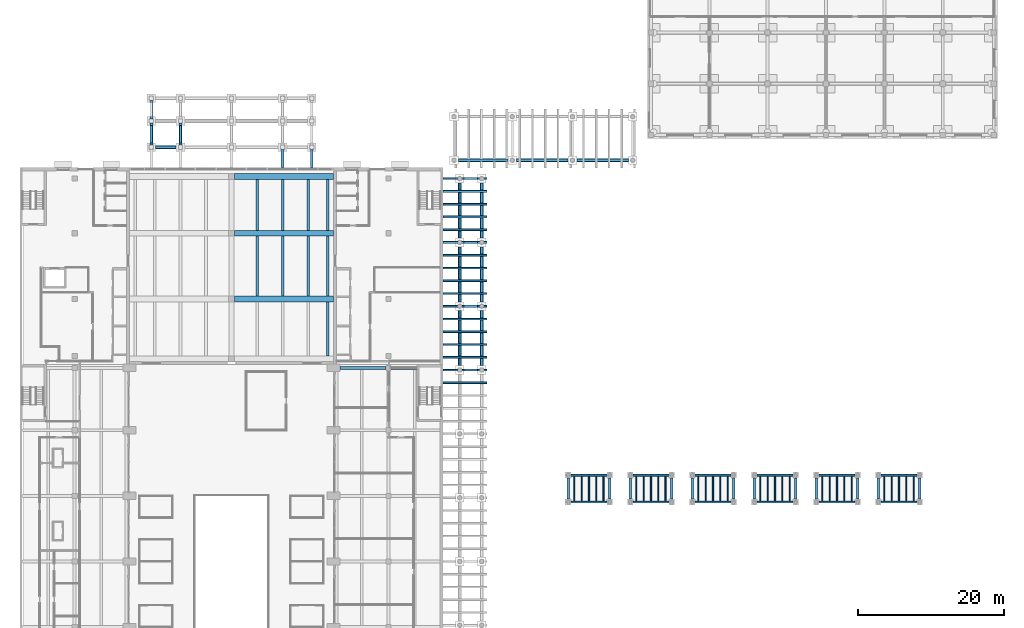
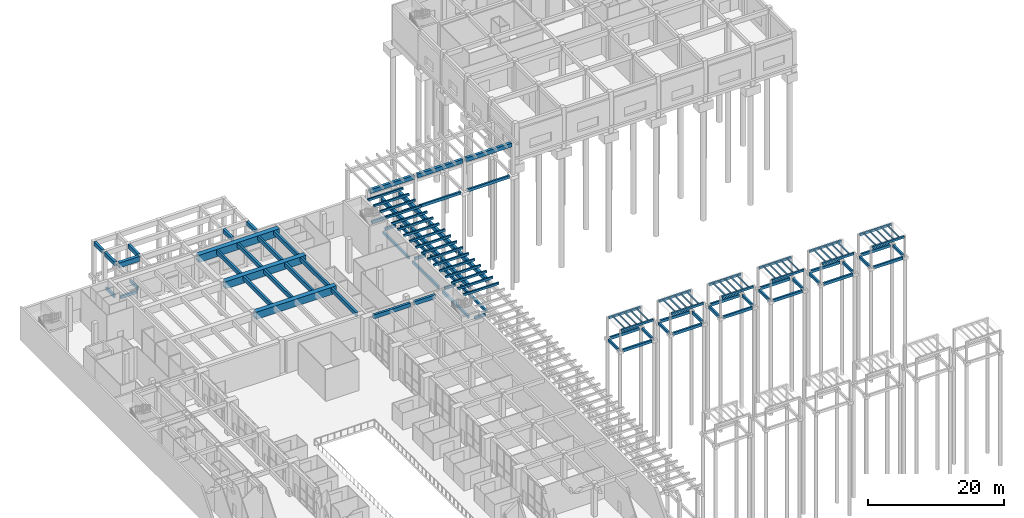
# One storey, part 21 of 51: 128 beams.
"""IFC4 building model written with IfcOpenShell, lengths in metres."""

from ifc_helpers import new_model, si_unit, direction, frame, origin, origin_2d, place, context, subcontext, project, spatial, rectangle, extrude, material, material_profile, profile_set, type_object, element, save


model = new_model("IFC4")

# Units and contexts
model_context = context("Model", 3, precision=1e-05, world=origin(), true_north=direction((0.0, 1.0)))
body_context = subcontext(model_context, "Body", "Model", "MODEL_VIEW")
ifc_project = project(units=[si_unit("LENGTHUNIT", "METRE"), si_unit("AREAUNIT", "SQUARE_METRE"), si_unit("VOLUMEUNIT", "CUBIC_METRE"), si_unit("PLANEANGLEUNIT", "RADIAN"), si_unit("MASSUNIT", "GRAM", prefix="KILO")], contexts=[model_context])

# Site, building, storey
site_placement = place(None, origin())
site = spatial("IfcSite", under=ifc_project, at=site_placement, CompositionType="ELEMENT")
building_placement = place(site_placement, origin())
building = spatial("IfcBuilding", under=site, at=building_placement, Name="Elmora Arch Market Hall", CompositionType="ELEMENT")
storey_placement = place(building_placement, origin())
storey = spatial("IfcBuildingStorey", under=building, at=storey_placement, Name="L00", CompositionType="ELEMENT", Elevation=0.0)

# Beams
ifc_material_1 = material(Name="Concrete C32/40", Category="concrete")
ifc_material_profile_1 = material_profile(ifc_material_1, rectangle(XDim=0.800048828125, YDim=1.300048828125, at=origin_2d()), Name="Bridge girder 800x1300")
ifc_profile_set_1 = profile_set([ifc_material_profile_1], Name="Concrete C32/40")
beam_type_1 = type_object("IfcBeamType", Name="Bridge girder 800x1300", PredefinedType="BEAM", material=ifc_profile_set_1)
for number, where, z_axis, x_axis, name in (
    (1, (29.39990234375, 108.0, 5.14990234375), (1.0, 0.0, 0.0), (0.0, 1.0, 0.0), "Bridge girder NR2 L00.2"),
    (2, (29.39990234375, 117.0, 5.14990234375), (1.0, 0.0, 0.0), (0.0, 1.0, 0.0), "Bridge girder NR3 L00.2"),
    (3, (29.39990234375, 124.800048828125, 5.14990234375), (1.0, 0.0, 0.0), (0.0, 1.0, 0.0), "Bridge girder NR4 L00.2"),
):
    element("IfcBeam", number, at=place(storey_placement, frame(where, z_axis=z_axis, x_axis=x_axis)), inside=storey, type_object=beam_type_1, Name=name, PredefinedType="BEAM", context=body_context, shape_type="SweptSolid", body=[
        extrude(rectangle(XDim=0.800048828125, YDim=1.300048828125, at=origin_2d()), origin(), (0.0, 0.0, 1.0), 13.60009765625),
    ])
ifc_material_2 = material(Name="Concrete C32/40", Category="concrete")
ifc_material_profile_2 = material_profile(ifc_material_2, rectangle(XDim=0.35009765625, YDim=0.75, at=origin_2d()), Name="Bridge joist 350x750")
ifc_profile_set_2 = profile_set([ifc_material_profile_2], Name="Concrete C32/40")
beam_type_2 = type_object("IfcBeamType", Name="Bridge joist 350x750", PredefinedType="JOIST", material=ifc_profile_set_2)
beam_1_placement = place(storey_placement, frame((32.5, 108.39990234375, 5.425048828125), z_axis=(0.0, 1.0, 0.0), x_axis=(-1.0, 0.0, 0.0)))
element("IfcBeam", 4, at=beam_1_placement, inside=storey, type_object=beam_type_2, Name="Bridge joist NJ5 L00.2", PredefinedType="JOIST", context=body_context, shape_type="SweptSolid", body=[
    extrude(rectangle(XDim=0.35009765625, YDim=0.75, at=origin_2d()), origin(), (0.0, 0.0, 1.0), 8.2001953125),
])
beam_2_placement = place(storey_placement, frame((32.5, 117.39990234375, 5.425048828125), z_axis=(0.0, 1.0, 0.0), x_axis=(-1.0, 0.0, 0.0)))
element("IfcBeam", 5, at=beam_2_placement, inside=storey, type_object=beam_type_2, Name="Bridge joist NJ5 L00.3", PredefinedType="JOIST", context=body_context, shape_type="SweptSolid", body=[
    extrude(rectangle(XDim=0.35009765625, YDim=0.75, at=origin_2d()), origin(), (0.0, 0.0, 1.0), 7.0),
])
beam_3_placement = place(storey_placement, frame((36.0, 108.39990234375, 5.425048828125), z_axis=(0.0, 1.0, 0.0), x_axis=(-1.0, 0.0, 0.0)))
element("IfcBeam", 6, at=beam_3_placement, inside=storey, type_object=beam_type_2, Name="Bridge joist NJ6 L00.2", PredefinedType="JOIST", context=body_context, shape_type="SweptSolid", body=[
    extrude(rectangle(XDim=0.35009765625, YDim=0.75, at=origin_2d()), origin(), (0.0, 0.0, 1.0), 8.2001953125),
])
beam_4_placement = place(storey_placement, frame((36.0, 117.39990234375, 5.425048828125), z_axis=(0.0, 1.0, 0.0), x_axis=(-1.0, 0.0, 0.0)))
element("IfcBeam", 7, at=beam_4_placement, inside=storey, type_object=beam_type_2, Name="Bridge joist NJ6 L00.3", PredefinedType="JOIST", context=body_context, shape_type="SweptSolid", body=[
    extrude(rectangle(XDim=0.35009765625, YDim=0.75, at=origin_2d()), origin(), (0.0, 0.0, 1.0), 7.0),
])
beam_5_placement = place(storey_placement, frame((39.5, 108.39990234375, 5.425048828125), z_axis=(0.0, 1.0, 0.0), x_axis=(-1.0, 0.0, 0.0)))
element("IfcBeam", 8, at=beam_5_placement, inside=storey, type_object=beam_type_2, Name="Bridge joist NJ7 L00.2", PredefinedType="JOIST", context=body_context, shape_type="SweptSolid", body=[
    extrude(rectangle(XDim=0.35009765625, YDim=0.75, at=origin_2d()), origin(), (0.0, 0.0, 1.0), 8.2001953125),
])
beam_6_placement = place(storey_placement, frame((39.5, 117.39990234375, 5.425048828125), z_axis=(0.0, 1.0, 0.0), x_axis=(-1.0, 0.0, 0.0)))
element("IfcBeam", 9, at=beam_6_placement, inside=storey, type_object=beam_type_2, Name="Bridge joist NJ7 L00.3", PredefinedType="JOIST", context=body_context, shape_type="SweptSolid", body=[
    extrude(rectangle(XDim=0.35009765625, YDim=0.75, at=origin_2d()), origin(), (0.0, 0.0, 1.0), 7.0),
])
beam_7_placement = place(storey_placement, frame((42.199951171875, 100.199951171875, 5.425048828125), z_axis=(0.0, 1.0, 0.0), x_axis=(-1.0, 0.0, 0.0)))
element("IfcBeam", 10, at=beam_7_placement, inside=storey, type_object=beam_type_2, Name="Bridge joist NJ8 L00.1", PredefinedType="JOIST", context=body_context, shape_type="SweptSolid", body=[
    extrude(rectangle(XDim=0.35009765625, YDim=0.75, at=origin_2d()), origin(), (0.0, 0.0, 1.0), 7.400146484375),
])
beam_8_placement = place(storey_placement, frame((42.199951171875, 108.39990234375, 5.425048828125), z_axis=(0.0, 1.0, 0.0), x_axis=(-1.0, 0.0, 0.0)))
element("IfcBeam", 11, at=beam_8_placement, inside=storey, type_object=beam_type_2, Name="Bridge joist NJ8 L00.2", PredefinedType="JOIST", context=body_context, shape_type="SweptSolid", body=[
    extrude(rectangle(XDim=0.35009765625, YDim=0.75, at=origin_2d()), origin(), (0.0, 0.0, 1.0), 8.2001953125),
])
beam_9_placement = place(storey_placement, frame((42.199951171875, 117.39990234375, 5.425048828125), z_axis=(0.0, 1.0, 0.0), x_axis=(-1.0, 0.0, 0.0)))
element("IfcBeam", 12, at=beam_9_placement, inside=storey, type_object=beam_type_2, Name="Bridge joist NJ8 L00.3", PredefinedType="JOIST", context=body_context, shape_type="SweptSolid", body=[
    extrude(rectangle(XDim=0.35009765625, YDim=0.75, at=origin_2d()), origin(), (0.0, 0.0, 1.0), 7.0),
])
ifc_material_3 = material(Name="Concrete C32/40", Category="concrete")
ifc_material_profile_3 = material_profile(ifc_material_3, rectangle(XDim=0.39990234375, YDim=0.699951171875, at=origin_2d()), Name="Canopy beam 400x700")
ifc_profile_set_3 = profile_set([ifc_material_profile_3], Name="Concrete C32/40")
beam_type_3 = type_object("IfcBeamType", Name="Canopy beam 400x700", PredefinedType="BEAM", material=ifc_profile_set_3)
beam_10_placement = place(storey_placement, frame((18.0, 129.10009765625, 5.449951171875), z_axis=(0.0, 1.0, 0.0), x_axis=(-1.0, 0.0, 0.0)))
element("IfcBeam", 13, at=beam_10_placement, inside=storey, type_object=beam_type_3, Name="Canopy beam CAN-GATE-B1 L00.2", PredefinedType="BEAM", context=body_context, shape_type="SweptSolid", body=[
    extrude(rectangle(XDim=0.39990234375, YDim=0.699951171875, at=origin_2d()), origin(), (0.0, 0.0, 1.0), 3.0),
])
beam_11_placement = place(storey_placement, frame((18.0, 132.699951171875, 5.449951171875), z_axis=(0.0, 1.0, 0.0), x_axis=(-1.0, 0.0, 0.0)))
element("IfcBeam", 14, at=beam_11_placement, inside=storey, type_object=beam_type_3, Name="Canopy beam CAN-GATE-B1 L00.3", PredefinedType="BEAM", context=body_context, shape_type="SweptSolid", body=[
    extrude(rectangle(XDim=0.39990234375, YDim=0.699951171875, at=origin_2d()), origin(), (0.0, 0.0, 1.0), 2.5),
])
beam_12_placement = place(storey_placement, frame((22.0, 129.10009765625, 5.449951171875), z_axis=(0.0, 1.0, 0.0), x_axis=(-1.0, 0.0, 0.0)))
element("IfcBeam", 15, at=beam_12_placement, inside=storey, type_object=beam_type_3, Name="Canopy beam CAN-GATE-B2 L00.2", PredefinedType="BEAM", context=body_context, shape_type="SweptSolid", body=[
    extrude(rectangle(XDim=0.39990234375, YDim=0.699951171875, at=origin_2d()), origin(), (0.0, 0.0, 1.0), 3.0),
])
for number, where, z_axis, x_axis, name in (
    (16, (36.0, 126.0, 5.449951171875), (0.0, 1.0, 0.0), (-1.0, 0.0, 0.0), "Canopy beam CAN-GATE-B4 L00.1"),
    (17, (40.0, 126.0, 5.449951171875), (0.0, 1.0, 0.0), (-1.0, 0.0, 0.0), "Canopy beam CAN-GATE-B5 L00.1"),
):
    element("IfcBeam", number, at=place(storey_placement, frame(where, z_axis=z_axis, x_axis=x_axis)), inside=storey, type_object=beam_type_3, Name=name, PredefinedType="BEAM", context=body_context, shape_type="SweptSolid", body=[
        extrude(rectangle(XDim=0.39990234375, YDim=0.699951171875, at=origin_2d()), origin(), (0.0, 0.0, 1.0), 2.5),
    ])
ifc_material_4 = material(Name="Concrete C32/40", Category="concrete")
ifc_material_profile_4 = material_profile(ifc_material_4, rectangle(XDim=0.5, YDim=0.89990234375, at=origin_2d()), Name="Canopy girder 500x900")
ifc_profile_set_4 = profile_set([ifc_material_profile_4], Name="Concrete C32/40")
beam_type_4 = type_object("IfcBeamType", Name="Canopy girder 500x900", PredefinedType="BEAM", material=ifc_profile_set_4)
beam_13_placement = place(storey_placement, frame((18.300048828125, 128.800048828125, 5.35009765625), z_axis=(1.0, 0.0, 0.0), x_axis=(0.0, 1.0, 0.0)))
element("IfcBeam", 18, at=beam_13_placement, inside=storey, type_object=beam_type_4, Name="Canopy girder CAN-GATE-G1 L00.1", PredefinedType="BEAM", context=body_context, shape_type="SweptSolid", body=[
    extrude(rectangle(XDim=0.5, YDim=0.89990234375, at=origin_2d()), origin(), (0.0, 0.0, 1.0), 3.39990234375),
])
ifc_material_5 = material(Name="Concrete C32/40", Category="concrete")
ifc_material_profile_5 = material_profile(ifc_material_5, rectangle(XDim=0.25, YDim=0.39990234375, at=origin_2d()), Name="Canopy joist 250x400")
ifc_profile_set_5 = profile_set([ifc_material_profile_5], Name="Concrete C32/40")
beam_type_5 = type_object("IfcBeamType", Name="Canopy joist 250x400", PredefinedType="JOIST", material=ifc_profile_set_5)
for number, where, z_axis, x_axis, name in (
    (19, (58.0, 96.5, 5.64990234375), (1.0, 0.0, 0.0), (0.0, 1.0, 0.0), "Canopy joist PE-J45 L00.1"),
    (20, (58.0, 98.25, 5.64990234375), (1.0, 0.0, 0.0), (0.0, 1.0, 0.0), "Canopy joist PE-J46 L00.1"),
    (21, (58.0, 100.0, 5.64990234375), (1.0, 0.0, 0.0), (0.0, 1.0, 0.0), "Canopy joist PE-J47 L00.1"),
    (22, (58.0, 101.75, 5.64990234375), (1.0, 0.0, 0.0), (0.0, 1.0, 0.0), "Canopy joist PE-J48 L00.1"),
    (23, (58.0, 103.5, 5.64990234375), (1.0, 0.0, 0.0), (0.0, 1.0, 0.0), "Canopy joist PE-J49 L00.1"),
    (24, (58.0, 105.25, 5.64990234375), (1.0, 0.0, 0.0), (0.0, 1.0, 0.0), "Canopy joist PE-J50 L00.1"),
    (25, (58.0, 107.0, 5.64990234375), (1.0, 0.0, 0.0), (0.0, 1.0, 0.0), "Canopy joist PE-J51 L00.1"),
    (26, (58.0, 108.75, 5.64990234375), (1.0, 0.0, 0.0), (0.0, 1.0, 0.0), "Canopy joist PE-J52 L00.1"),
    (27, (58.0, 110.5, 5.64990234375), (1.0, 0.0, 0.0), (0.0, 1.0, 0.0), "Canopy joist PE-J53 L00.1"),
    (28, (58.0, 112.25, 5.64990234375), (1.0, 0.0, 0.0), (0.0, 1.0, 0.0), "Canopy joist PE-J54 L00.1"),
    (29, (58.0, 114.0, 5.64990234375), (1.0, 0.0, 0.0), (0.0, 1.0, 0.0), "Canopy joist PE-J55 L00.1"),
    (30, (58.0, 115.75, 5.64990234375), (1.0, 0.0, 0.0), (0.0, 1.0, 0.0), "Canopy joist PE-J56 L00.1"),
    (31, (58.0, 117.5, 5.64990234375), (1.0, 0.0, 0.0), (0.0, 1.0, 0.0), "Canopy joist PE-J57 L00.1"),
    (32, (58.0, 119.25, 5.64990234375), (1.0, 0.0, 0.0), (0.0, 1.0, 0.0), "Canopy joist PE-J58 L00.1"),
    (33, (58.0, 121.0, 5.64990234375), (1.0, 0.0, 0.0), (0.0, 1.0, 0.0), "Canopy joist PE-J59 L00.1"),
    (34, (58.0, 122.75, 5.64990234375), (1.0, 0.0, 0.0), (0.0, 1.0, 0.0), "Canopy joist PE-J60 L00.1"),
    (35, (58.0, 124.5, 5.64990234375), (1.0, 0.0, 0.0), (0.0, 1.0, 0.0), "Canopy joist PE-J61 L00.1"),
):
    element("IfcBeam", number, at=place(storey_placement, frame(where, z_axis=z_axis, x_axis=x_axis)), inside=storey, type_object=beam_type_5, Name=name, PredefinedType="JOIST", context=body_context, shape_type="SweptSolid", body=[
        extrude(rectangle(XDim=0.25, YDim=0.39990234375, at=origin_2d()), origin(), (0.0, 0.0, 1.0), 6.0),
    ])
ifc_material_6 = material(Name="Concrete C32/40", Category="concrete")
ifc_material_profile_6 = material_profile(ifc_material_6, rectangle(XDim=0.300048828125, YDim=0.5, at=origin_2d()), Name="Pad tie beam 300x500")
ifc_profile_set_6 = profile_set([ifc_material_profile_6], Name="Concrete C32/40")
beam_type_6 = type_object("IfcBeamType", Name="Pad tie beam 300x500", PredefinedType="BEAM", material=ifc_profile_set_6)
beam_14_placement = place(storey_placement, frame((18.60009765625, 128.800048828125, -0.550048828125), z_axis=(1.0, 0.0, 0.0), x_axis=(0.0, 1.0, 0.0)))
element("IfcBeam", 36, at=beam_14_placement, inside=storey, type_object=beam_type_6, Name="Pad tie beam 001", PredefinedType="BEAM", context=body_context, shape_type="SweptSolid", body=[
    extrude(rectangle(XDim=0.300048828125, YDim=0.5, at=origin_2d()), origin(), (0.0, 0.0, 1.0), 2.7998046875),
])
for number, where, z_axis, x_axis, name in (
    (37, (18.0, 129.39990234375, -0.550048828125), (0.0, 1.0, 0.0), (-1.0, 0.0, 0.0), "Pad tie beam 013"),
    (38, (22.0, 129.39990234375, -0.550048828125), (0.0, 1.0, 0.0), (-1.0, 0.0, 0.0), "Pad tie beam 015"),
):
    element("IfcBeam", number, at=place(storey_placement, frame(where, z_axis=z_axis, x_axis=x_axis)), inside=storey, type_object=beam_type_6, Name=name, PredefinedType="BEAM", context=body_context, shape_type="SweptSolid", body=[
        extrude(rectangle(XDim=0.300048828125, YDim=0.5, at=origin_2d()), origin(), (0.0, 0.0, 1.0), 2.400146484375),
    ])
for number, where, z_axis, x_axis, name in (
    (39, (60.89990234375, 98.25, -0.550048828125), (1.0, 0.0, 0.0), (0.0, 1.0, 0.0), "Pad tie beam 042"),
    (40, (60.89990234375, 107.0, -0.550048828125), (1.0, 0.0, 0.0), (0.0, 1.0, 0.0), "Pad tie beam 043"),
    (41, (60.89990234375, 115.75, -0.550048828125), (1.0, 0.0, 0.0), (0.0, 1.0, 0.0), "Pad tie beam 044"),
    (42, (60.89990234375, 124.5, -0.550048828125), (1.0, 0.0, 0.0), (0.0, 1.0, 0.0), "Pad tie beam 045"),
):
    element("IfcBeam", number, at=place(storey_placement, frame(where, z_axis=z_axis, x_axis=x_axis)), inside=storey, type_object=beam_type_6, Name=name, PredefinedType="BEAM", context=body_context, shape_type="SweptSolid", body=[
        extrude(rectangle(XDim=0.300048828125, YDim=0.5, at=origin_2d()), origin(), (0.0, 0.0, 1.0), 1.800048828125),
    ])
for number, where, z_axis, x_axis, name in (
    (43, (60.300048828125, 98.85009765625, -0.550048828125), (0.0, 1.0, 0.0), (-1.0, 0.0, 0.0), "Pad tie beam 055"),
    (44, (60.300048828125, 107.60009765625, -0.550048828125), (0.0, 1.0, 0.0), (-1.0, 0.0, 0.0), "Pad tie beam 056"),
    (45, (60.300048828125, 116.35009765625, -0.550048828125), (0.0, 1.0, 0.0), (-1.0, 0.0, 0.0), "Pad tie beam 057"),
    (46, (63.300048828125, 98.85009765625, -0.550048828125), (0.0, 1.0, 0.0), (-1.0, 0.0, 0.0), "Pad tie beam 067"),
    (47, (63.300048828125, 107.60009765625, -0.550048828125), (0.0, 1.0, 0.0), (-1.0, 0.0, 0.0), "Pad tie beam 068"),
    (48, (63.300048828125, 116.35009765625, -0.550048828125), (0.0, 1.0, 0.0), (-1.0, 0.0, 0.0), "Pad tie beam 069"),
):
    element("IfcBeam", number, at=place(storey_placement, frame(where, z_axis=z_axis, x_axis=x_axis)), inside=storey, type_object=beam_type_6, Name=name, PredefinedType="BEAM", context=body_context, shape_type="SweptSolid", body=[
        extrude(rectangle(XDim=0.300048828125, YDim=0.5, at=origin_2d()), origin(), (0.0, 0.0, 1.0), 7.5498046875),
    ])
beam_15_placement = place(storey_placement, frame((60.10009765625, 127.0, -0.550048828125), z_axis=(1.0, 0.0, 0.0), x_axis=(0.0, 1.0, 0.0)))
element("IfcBeam", 49, at=beam_15_placement, inside=storey, type_object=beam_type_6, Name="Pad tie beam 070", PredefinedType="BEAM", context=body_context, shape_type="SweptSolid", body=[
    extrude(rectangle(XDim=0.300048828125, YDim=0.5, at=origin_2d()), origin(), (0.0, 0.0, 1.0), 6.7998046875),
])
for number, where, z_axis, x_axis, name in (
    (50, (68.10009765625, 127.0, -0.550048828125), (1.0, 0.0, 0.0), (0.0, 1.0, 0.0), "Pad tie beam 071"),
    (51, (76.35009765625, 127.0, -0.550048828125), (1.0, 0.0, 0.0), (0.0, 1.0, 0.0), "Pad tie beam 072"),
):
    element("IfcBeam", number, at=place(storey_placement, frame(where, z_axis=z_axis, x_axis=x_axis)), inside=storey, type_object=beam_type_6, Name=name, PredefinedType="BEAM", context=body_context, shape_type="SweptSolid", body=[
        extrude(rectangle(XDim=0.300048828125, YDim=0.5, at=origin_2d()), origin(), (0.0, 0.0, 1.0), 7.0498046875),
    ])
for number, where, z_axis, x_axis, name in (
    (52, (75.550048828125, 80.14990234375, -0.550048828125), (1.0, 0.0, 0.0), (0.0, 1.0, 0.0), "Pad tie beam 104"),
    (53, (75.550048828125, 83.85009765625, -0.550048828125), (1.0, 0.0, 0.0), (0.0, 1.0, 0.0), "Pad tie beam 105"),
):
    element("IfcBeam", number, at=place(storey_placement, frame(where, z_axis=z_axis, x_axis=x_axis)), inside=storey, type_object=beam_type_6, Name=name, PredefinedType="BEAM", context=body_context, shape_type="SweptSolid", body=[
        extrude(rectangle(XDim=0.300048828125, YDim=0.5, at=origin_2d()), origin(), (0.0, 0.0, 1.0), 4.89990234375),
    ])
for number, where, z_axis, x_axis, name in (
    (54, (75.14990234375, 80.550048828125, -0.550048828125), (0.0, 1.0, 0.0), (-1.0, 0.0, 0.0), "Pad tie beam 106"),
    (55, (80.85009765625, 80.550048828125, -0.550048828125), (0.0, 1.0, 0.0), (-1.0, 0.0, 0.0), "Pad tie beam 107"),
):
    element("IfcBeam", number, at=place(storey_placement, frame(where, z_axis=z_axis, x_axis=x_axis)), inside=storey, type_object=beam_type_6, Name=name, PredefinedType="BEAM", context=body_context, shape_type="SweptSolid", body=[
        extrude(rectangle(XDim=0.300048828125, YDim=0.5, at=origin_2d()), origin(), (0.0, 0.0, 1.0), 2.89990234375),
    ])
for number, where, z_axis, x_axis, name in (
    (56, (84.050048828125, 80.14990234375, -0.550048828125), (1.0, 0.0, 0.0), (0.0, 1.0, 0.0), "Pad tie beam 108"),
    (57, (84.050048828125, 83.85009765625, -0.550048828125), (1.0, 0.0, 0.0), (0.0, 1.0, 0.0), "Pad tie beam 109"),
):
    element("IfcBeam", number, at=place(storey_placement, frame(where, z_axis=z_axis, x_axis=x_axis)), inside=storey, type_object=beam_type_6, Name=name, PredefinedType="BEAM", context=body_context, shape_type="SweptSolid", body=[
        extrude(rectangle(XDim=0.300048828125, YDim=0.5, at=origin_2d()), origin(), (0.0, 0.0, 1.0), 4.89990234375),
    ])
for number, where, z_axis, x_axis, name in (
    (58, (83.64990234375, 80.550048828125, -0.550048828125), (0.0, 1.0, 0.0), (-1.0, 0.0, 0.0), "Pad tie beam 110"),
    (59, (89.35009765625, 80.550048828125, -0.550048828125), (0.0, 1.0, 0.0), (-1.0, 0.0, 0.0), "Pad tie beam 111"),
):
    element("IfcBeam", number, at=place(storey_placement, frame(where, z_axis=z_axis, x_axis=x_axis)), inside=storey, type_object=beam_type_6, Name=name, PredefinedType="BEAM", context=body_context, shape_type="SweptSolid", body=[
        extrude(rectangle(XDim=0.300048828125, YDim=0.5, at=origin_2d()), origin(), (0.0, 0.0, 1.0), 2.89990234375),
    ])
for number, where, z_axis, x_axis, name in (
    (60, (92.550048828125, 80.14990234375, -0.550048828125), (1.0, 0.0, 0.0), (0.0, 1.0, 0.0), "Pad tie beam 112"),
    (61, (92.550048828125, 83.85009765625, -0.550048828125), (1.0, 0.0, 0.0), (0.0, 1.0, 0.0), "Pad tie beam 113"),
):
    element("IfcBeam", number, at=place(storey_placement, frame(where, z_axis=z_axis, x_axis=x_axis)), inside=storey, type_object=beam_type_6, Name=name, PredefinedType="BEAM", context=body_context, shape_type="SweptSolid", body=[
        extrude(rectangle(XDim=0.300048828125, YDim=0.5, at=origin_2d()), origin(), (0.0, 0.0, 1.0), 4.89990234375),
    ])
for number, where, z_axis, x_axis, name in (
    (62, (92.14990234375, 80.550048828125, -0.550048828125), (0.0, 1.0, 0.0), (-1.0, 0.0, 0.0), "Pad tie beam 114"),
    (63, (97.85009765625, 80.550048828125, -0.550048828125), (0.0, 1.0, 0.0), (-1.0, 0.0, 0.0), "Pad tie beam 115"),
):
    element("IfcBeam", number, at=place(storey_placement, frame(where, z_axis=z_axis, x_axis=x_axis)), inside=storey, type_object=beam_type_6, Name=name, PredefinedType="BEAM", context=body_context, shape_type="SweptSolid", body=[
        extrude(rectangle(XDim=0.300048828125, YDim=0.5, at=origin_2d()), origin(), (0.0, 0.0, 1.0), 2.89990234375),
    ])
for number, where, z_axis, x_axis, name in (
    (64, (101.050048828125, 80.14990234375, -0.550048828125), (1.0, 0.0, 0.0), (0.0, 1.0, 0.0), "Pad tie beam 116"),
    (65, (101.050048828125, 83.85009765625, -0.550048828125), (1.0, 0.0, 0.0), (0.0, 1.0, 0.0), "Pad tie beam 117"),
):
    element("IfcBeam", number, at=place(storey_placement, frame(where, z_axis=z_axis, x_axis=x_axis)), inside=storey, type_object=beam_type_6, Name=name, PredefinedType="BEAM", context=body_context, shape_type="SweptSolid", body=[
        extrude(rectangle(XDim=0.300048828125, YDim=0.5, at=origin_2d()), origin(), (0.0, 0.0, 1.0), 4.89990234375),
    ])
for number, where, z_axis, x_axis, name in (
    (66, (100.64990234375, 80.550048828125, -0.550048828125), (0.0, 1.0, 0.0), (-1.0, 0.0, 0.0), "Pad tie beam 118"),
    (67, (106.35009765625, 80.550048828125, -0.550048828125), (0.0, 1.0, 0.0), (-1.0, 0.0, 0.0), "Pad tie beam 119"),
):
    element("IfcBeam", number, at=place(storey_placement, frame(where, z_axis=z_axis, x_axis=x_axis)), inside=storey, type_object=beam_type_6, Name=name, PredefinedType="BEAM", context=body_context, shape_type="SweptSolid", body=[
        extrude(rectangle(XDim=0.300048828125, YDim=0.5, at=origin_2d()), origin(), (0.0, 0.0, 1.0), 2.89990234375),
    ])
for number, where, z_axis, x_axis, name in (
    (68, (109.550048828125, 80.14990234375, -0.550048828125), (1.0, 0.0, 0.0), (0.0, 1.0, 0.0), "Pad tie beam 120"),
    (69, (109.550048828125, 83.85009765625, -0.550048828125), (1.0, 0.0, 0.0), (0.0, 1.0, 0.0), "Pad tie beam 121"),
):
    element("IfcBeam", number, at=place(storey_placement, frame(where, z_axis=z_axis, x_axis=x_axis)), inside=storey, type_object=beam_type_6, Name=name, PredefinedType="BEAM", context=body_context, shape_type="SweptSolid", body=[
        extrude(rectangle(XDim=0.300048828125, YDim=0.5, at=origin_2d()), origin(), (0.0, 0.0, 1.0), 4.89990234375),
    ])
for number, where, z_axis, x_axis, name in (
    (70, (109.14990234375, 80.550048828125, -0.550048828125), (0.0, 1.0, 0.0), (-1.0, 0.0, 0.0), "Pad tie beam 122"),
    (71, (114.85009765625, 80.550048828125, -0.550048828125), (0.0, 1.0, 0.0), (-1.0, 0.0, 0.0), "Pad tie beam 123"),
):
    element("IfcBeam", number, at=place(storey_placement, frame(where, z_axis=z_axis, x_axis=x_axis)), inside=storey, type_object=beam_type_6, Name=name, PredefinedType="BEAM", context=body_context, shape_type="SweptSolid", body=[
        extrude(rectangle(XDim=0.300048828125, YDim=0.5, at=origin_2d()), origin(), (0.0, 0.0, 1.0), 2.89990234375),
    ])
for number, where, z_axis, x_axis, name in (
    (72, (118.050048828125, 80.14990234375, -0.550048828125), (1.0, 0.0, 0.0), (0.0, 1.0, 0.0), "Pad tie beam 124"),
    (73, (118.050048828125, 83.85009765625, -0.550048828125), (1.0, 0.0, 0.0), (0.0, 1.0, 0.0), "Pad tie beam 125"),
):
    element("IfcBeam", number, at=place(storey_placement, frame(where, z_axis=z_axis, x_axis=x_axis)), inside=storey, type_object=beam_type_6, Name=name, PredefinedType="BEAM", context=body_context, shape_type="SweptSolid", body=[
        extrude(rectangle(XDim=0.300048828125, YDim=0.5, at=origin_2d()), origin(), (0.0, 0.0, 1.0), 4.89990234375),
    ])
for number, where, z_axis, x_axis, name in (
    (74, (117.64990234375, 80.550048828125, -0.550048828125), (0.0, 1.0, 0.0), (-1.0, 0.0, 0.0), "Pad tie beam 126"),
    (75, (123.35009765625, 80.550048828125, -0.550048828125), (0.0, 1.0, 0.0), (-1.0, 0.0, 0.0), "Pad tie beam 127"),
):
    element("IfcBeam", number, at=place(storey_placement, frame(where, z_axis=z_axis, x_axis=x_axis)), inside=storey, type_object=beam_type_6, Name=name, PredefinedType="BEAM", context=body_context, shape_type="SweptSolid", body=[
        extrude(rectangle(XDim=0.300048828125, YDim=0.5, at=origin_2d()), origin(), (0.0, 0.0, 1.0), 2.89990234375),
    ])
ifc_material_7 = material(Name="Concrete C32/40", Category="concrete")
ifc_material_profile_7 = material_profile(ifc_material_7, rectangle(XDim=0.449951171875, YDim=0.699951171875, at=origin_2d()), Name="Passage girder 450x700")
ifc_profile_set_7 = profile_set([ifc_material_profile_7], Name="Concrete C32/40")
beam_type_7 = type_object("IfcBeamType", Name="Passage girder 450x700", PredefinedType="BEAM", material=ifc_profile_set_7)
for number, where, z_axis, x_axis, name in (
    (76, (60.300048828125, 98.5, 5.10009765625), (0.0, 1.0, 0.0), (-1.0, 0.0, 0.0), "Passage girder PASS-E-G1 L00.10"),
    (77, (60.300048828125, 107.25, 5.10009765625), (0.0, 1.0, 0.0), (-1.0, 0.0, 0.0), "Passage girder PASS-E-G1 L00.11"),
    (78, (60.300048828125, 116.0, 5.10009765625), (0.0, 1.0, 0.0), (-1.0, 0.0, 0.0), "Passage girder PASS-E-G1 L00.12"),
    (79, (63.300048828125, 98.5, 5.10009765625), (0.0, 1.0, 0.0), (-1.0, 0.0, 0.0), "Passage girder PASS-E-G2 L00.10"),
    (80, (63.300048828125, 107.25, 5.10009765625), (0.0, 1.0, 0.0), (-1.0, 0.0, 0.0), "Passage girder PASS-E-G2 L00.11"),
    (81, (63.300048828125, 116.0, 5.10009765625), (0.0, 1.0, 0.0), (-1.0, 0.0, 0.0), "Passage girder PASS-E-G2 L00.12"),
):
    element("IfcBeam", number, at=place(storey_placement, frame(where, z_axis=z_axis, x_axis=x_axis)), inside=storey, type_object=beam_type_7, Name=name, PredefinedType="BEAM", context=body_context, shape_type="SweptSolid", body=[
        extrude(rectangle(XDim=0.449951171875, YDim=0.699951171875, at=origin_2d()), origin(), (0.0, 0.0, 1.0), 8.25),
    ])
beam_16_placement = place(storey_placement, frame((59.75, 127.0, 5.10009765625), z_axis=(1.0, 0.0, 0.0), x_axis=(0.0, 1.0, 0.0)))
element("IfcBeam", 82, at=beam_16_placement, inside=storey, type_object=beam_type_7, Name="Passage girder PASS-N-G1 L00.1", PredefinedType="BEAM", context=body_context, shape_type="SweptSolid", body=[
    extrude(rectangle(XDim=0.449951171875, YDim=0.699951171875, at=origin_2d()), origin(), (0.0, 0.0, 1.0), 7.5),
])
for number, where, z_axis, x_axis, name in (
    (83, (67.75, 127.0, 5.10009765625), (1.0, 0.0, 0.0), (0.0, 1.0, 0.0), "Passage girder PASS-N-G1 L00.2"),
    (84, (76.0, 127.0, 5.10009765625), (1.0, 0.0, 0.0), (0.0, 1.0, 0.0), "Passage girder PASS-N-G1 L00.3"),
):
    element("IfcBeam", number, at=place(storey_placement, frame(where, z_axis=z_axis, x_axis=x_axis)), inside=storey, type_object=beam_type_7, Name=name, PredefinedType="BEAM", context=body_context, shape_type="SweptSolid", body=[
        extrude(rectangle(XDim=0.449951171875, YDim=0.699951171875, at=origin_2d()), origin(), (0.0, 0.0, 1.0), 7.75),
    ])
ifc_material_8 = material(Name="Concrete C32/40", Category="concrete")
ifc_material_profile_8 = material_profile(ifc_material_8, rectangle(XDim=0.25, YDim=0.39990234375, at=origin_2d()), Name="Stall beam 250x400")
ifc_profile_set_8 = profile_set([ifc_material_profile_8], Name="Concrete C32/40")
beam_type_8 = type_object("IfcBeamType", Name="Stall beam 250x400", PredefinedType="BEAM", material=ifc_profile_set_8)
for number, where, z_axis, x_axis, name in (
    (85, (75.300048828125, 80.14990234375, 3.14990234375), (1.0, 0.0, 0.0), (0.0, 1.0, 0.0), "Stall beam STALL-21-B1 L00.1"),
    (86, (75.300048828125, 83.85009765625, 3.14990234375), (1.0, 0.0, 0.0), (0.0, 1.0, 0.0), "Stall beam STALL-21-B2 L00.1"),
    (87, (83.800048828125, 80.14990234375, 3.14990234375), (1.0, 0.0, 0.0), (0.0, 1.0, 0.0), "Stall beam STALL-22-B1 L00.1"),
    (88, (83.800048828125, 83.85009765625, 3.14990234375), (1.0, 0.0, 0.0), (0.0, 1.0, 0.0), "Stall beam STALL-22-B2 L00.1"),
    (89, (92.300048828125, 80.14990234375, 3.14990234375), (1.0, 0.0, 0.0), (0.0, 1.0, 0.0), "Stall beam STALL-23-B1 L00.1"),
    (90, (92.300048828125, 83.85009765625, 3.14990234375), (1.0, 0.0, 0.0), (0.0, 1.0, 0.0), "Stall beam STALL-23-B2 L00.1"),
    (91, (100.800048828125, 80.14990234375, 3.14990234375), (1.0, 0.0, 0.0), (0.0, 1.0, 0.0), "Stall beam STALL-24-B1 L00.1"),
    (92, (100.800048828125, 83.85009765625, 3.14990234375), (1.0, 0.0, 0.0), (0.0, 1.0, 0.0), "Stall beam STALL-24-B2 L00.1"),
    (93, (109.300048828125, 80.14990234375, 3.14990234375), (1.0, 0.0, 0.0), (0.0, 1.0, 0.0), "Stall beam STALL-25-B1 L00.1"),
    (94, (109.300048828125, 83.85009765625, 3.14990234375), (1.0, 0.0, 0.0), (0.0, 1.0, 0.0), "Stall beam STALL-25-B2 L00.1"),
    (95, (117.800048828125, 80.14990234375, 3.14990234375), (1.0, 0.0, 0.0), (0.0, 1.0, 0.0), "Stall beam STALL-26-B1 L00.1"),
    (96, (117.800048828125, 83.85009765625, 3.14990234375), (1.0, 0.0, 0.0), (0.0, 1.0, 0.0), "Stall beam STALL-26-B2 L00.1"),
):
    element("IfcBeam", number, at=place(storey_placement, frame(where, z_axis=z_axis, x_axis=x_axis)), inside=storey, type_object=beam_type_8, Name=name, PredefinedType="BEAM", context=body_context, shape_type="SweptSolid", body=[
        extrude(rectangle(XDim=0.25, YDim=0.39990234375, at=origin_2d()), origin(), (0.0, 0.0, 1.0), 5.39990234375),
    ])
ifc_material_9 = material(Name="Concrete C32/40", Category="concrete")
ifc_material_profile_9 = material_profile(ifc_material_9, rectangle(XDim=0.14990234375, YDim=0.25, at=origin_2d()), Name="Stall joist 150x250")
ifc_profile_set_9 = profile_set([ifc_material_profile_9], Name="Concrete C32/40")
beam_type_9 = type_object("IfcBeamType", Name="Stall joist 150x250", PredefinedType="JOIST", material=ifc_profile_set_9)
for number, where, z_axis, x_axis, name in (
    (97, (76.0, 80.27490234375, 3.22509765625), (0.0, 1.0, 0.0), (-1.0, 0.0, 0.0), "Stall joist STALL-21-J1 L00.1"),
    (98, (77.0, 80.27490234375, 3.22509765625), (0.0, 1.0, 0.0), (-1.0, 0.0, 0.0), "Stall joist STALL-21-J2 L00.1"),
    (99, (78.0, 80.27490234375, 3.22509765625), (0.0, 1.0, 0.0), (-1.0, 0.0, 0.0), "Stall joist STALL-21-J3 L00.1"),
    (100, (79.0, 80.27490234375, 3.22509765625), (0.0, 1.0, 0.0), (-1.0, 0.0, 0.0), "Stall joist STALL-21-J4 L00.1"),
    (101, (80.0, 80.27490234375, 3.22509765625), (0.0, 1.0, 0.0), (-1.0, 0.0, 0.0), "Stall joist STALL-21-J5 L00.1"),
    (102, (84.5, 80.27490234375, 3.22509765625), (0.0, 1.0, 0.0), (-1.0, 0.0, 0.0), "Stall joist STALL-22-J1 L00.1"),
    (103, (85.5, 80.27490234375, 3.22509765625), (0.0, 1.0, 0.0), (-1.0, 0.0, 0.0), "Stall joist STALL-22-J2 L00.1"),
    (104, (86.5, 80.27490234375, 3.22509765625), (0.0, 1.0, 0.0), (-1.0, 0.0, 0.0), "Stall joist STALL-22-J3 L00.1"),
    (105, (87.5, 80.27490234375, 3.22509765625), (0.0, 1.0, 0.0), (-1.0, 0.0, 0.0), "Stall joist STALL-22-J4 L00.1"),
    (106, (88.5, 80.27490234375, 3.22509765625), (0.0, 1.0, 0.0), (-1.0, 0.0, 0.0), "Stall joist STALL-22-J5 L00.1"),
    (107, (93.0, 80.27490234375, 3.22509765625), (0.0, 1.0, 0.0), (-1.0, 0.0, 0.0), "Stall joist STALL-23-J1 L00.1"),
    (108, (94.0, 80.27490234375, 3.22509765625), (0.0, 1.0, 0.0), (-1.0, 0.0, 0.0), "Stall joist STALL-23-J2 L00.1"),
    (109, (95.0, 80.27490234375, 3.22509765625), (0.0, 1.0, 0.0), (-1.0, 0.0, 0.0), "Stall joist STALL-23-J3 L00.1"),
    (110, (96.0, 80.27490234375, 3.22509765625), (0.0, 1.0, 0.0), (-1.0, 0.0, 0.0), "Stall joist STALL-23-J4 L00.1"),
    (111, (97.0, 80.27490234375, 3.22509765625), (0.0, 1.0, 0.0), (-1.0, 0.0, 0.0), "Stall joist STALL-23-J5 L00.1"),
    (112, (101.5, 80.27490234375, 3.22509765625), (0.0, 1.0, 0.0), (-1.0, 0.0, 0.0), "Stall joist STALL-24-J1 L00.1"),
    (113, (102.5, 80.27490234375, 3.22509765625), (0.0, 1.0, 0.0), (-1.0, 0.0, 0.0), "Stall joist STALL-24-J2 L00.1"),
    (114, (103.5, 80.27490234375, 3.22509765625), (0.0, 1.0, 0.0), (-1.0, 0.0, 0.0), "Stall joist STALL-24-J3 L00.1"),
    (115, (104.5, 80.27490234375, 3.22509765625), (0.0, 1.0, 0.0), (-1.0, 0.0, 0.0), "Stall joist STALL-24-J4 L00.1"),
    (116, (105.5, 80.27490234375, 3.22509765625), (0.0, 1.0, 0.0), (-1.0, 0.0, 0.0), "Stall joist STALL-24-J5 L00.1"),
    (117, (110.0, 80.27490234375, 3.22509765625), (0.0, 1.0, 0.0), (-1.0, 0.0, 0.0), "Stall joist STALL-25-J1 L00.1"),
    (118, (111.0, 80.27490234375, 3.22509765625), (0.0, 1.0, 0.0), (-1.0, 0.0, 0.0), "Stall joist STALL-25-J2 L00.1"),
    (119, (112.0, 80.27490234375, 3.22509765625), (0.0, 1.0, 0.0), (-1.0, 0.0, 0.0), "Stall joist STALL-25-J3 L00.1"),
    (120, (113.0, 80.27490234375, 3.22509765625), (0.0, 1.0, 0.0), (-1.0, 0.0, 0.0), "Stall joist STALL-25-J4 L00.1"),
    (121, (114.0, 80.27490234375, 3.22509765625), (0.0, 1.0, 0.0), (-1.0, 0.0, 0.0), "Stall joist STALL-25-J5 L00.1"),
    (122, (118.5, 80.27490234375, 3.22509765625), (0.0, 1.0, 0.0), (-1.0, 0.0, 0.0), "Stall joist STALL-26-J1 L00.1"),
    (123, (119.5, 80.27490234375, 3.22509765625), (0.0, 1.0, 0.0), (-1.0, 0.0, 0.0), "Stall joist STALL-26-J2 L00.1"),
    (124, (120.5, 80.27490234375, 3.22509765625), (0.0, 1.0, 0.0), (-1.0, 0.0, 0.0), "Stall joist STALL-26-J3 L00.1"),
    (125, (121.5, 80.27490234375, 3.22509765625), (0.0, 1.0, 0.0), (-1.0, 0.0, 0.0), "Stall joist STALL-26-J4 L00.1"),
    (126, (122.5, 80.27490234375, 3.22509765625), (0.0, 1.0, 0.0), (-1.0, 0.0, 0.0), "Stall joist STALL-26-J5 L00.1"),
):
    element("IfcBeam", number, at=place(storey_placement, frame(where, z_axis=z_axis, x_axis=x_axis)), inside=storey, type_object=beam_type_9, Name=name, PredefinedType="JOIST", context=body_context, shape_type="SweptSolid", body=[
        extrude(rectangle(XDim=0.14990234375, YDim=0.25, at=origin_2d()), origin(), (0.0, 0.0, 1.0), 3.4501953125),
    ])
ifc_material_10 = material(Name="Concrete C32/40", Category="concrete")
ifc_material_profile_10 = material_profile(ifc_material_10, rectangle(XDim=0.39990234375, YDim=0.699951171875, at=origin_2d()), Name="Wing beam 400x700")
ifc_profile_set_10 = profile_set([ifc_material_profile_10], Name="Concrete C32/40")
beam_type_10 = type_object("IfcBeamType", Name="Wing beam 400x700", PredefinedType="BEAM", material=ifc_profile_set_10)
beam_17_placement = place(storey_placement, frame((43.89990234375, 98.550048828125, 5.449951171875), z_axis=(1.0, 0.0, 0.0), x_axis=(0.0, 1.0, 0.0)))
element("IfcBeam", 127, at=beam_17_placement, inside=storey, type_object=beam_type_10, Name="Wing beam ER9 L00.1", PredefinedType="BEAM", context=body_context, shape_type="SweptSolid", body=[
    extrude(rectangle(XDim=0.39990234375, YDim=0.699951171875, at=origin_2d()), origin(), (0.0, 0.0, 1.0), 6.25),
])
beam_18_placement = place(storey_placement, frame((50.85009765625, 98.550048828125, 5.449951171875), z_axis=(1.0, 0.0, 0.0), x_axis=(0.0, 1.0, 0.0)))
element("IfcBeam", 128, at=beam_18_placement, inside=storey, type_object=beam_type_10, Name="Wing beam ER9 L00.2", PredefinedType="BEAM", context=body_context, shape_type="SweptSolid", body=[
    extrude(rectangle(XDim=0.39990234375, YDim=0.699951171875, at=origin_2d()), origin(), (0.0, 0.0, 1.0), 3.5498046875),
])

save(model, "model.ifc")
